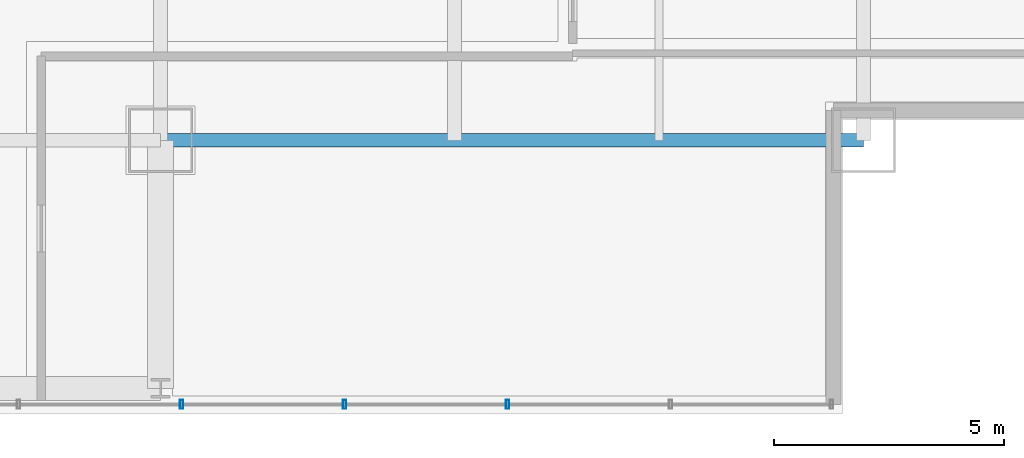
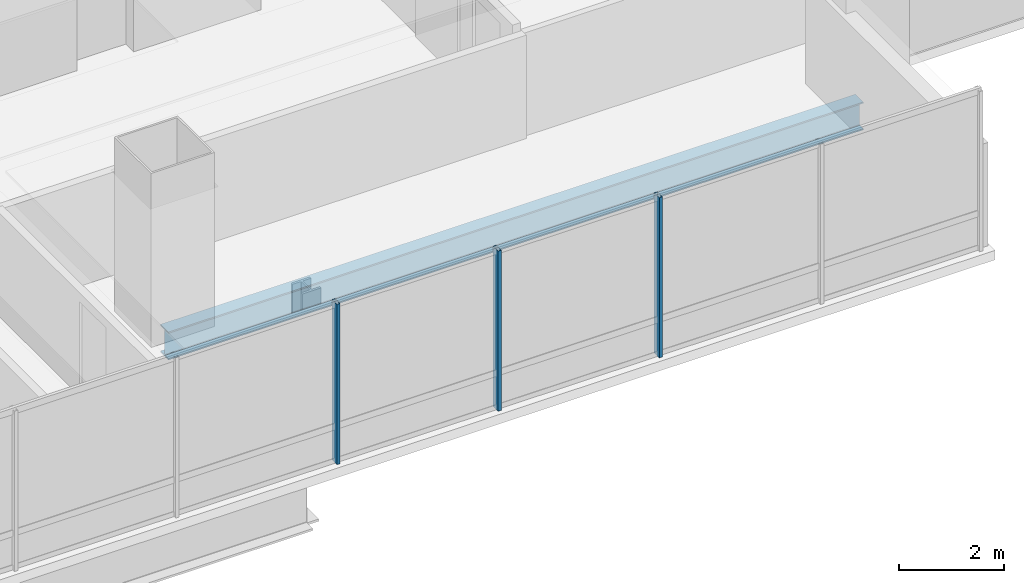
# One storey, part 7 of 35: 3 members, 1 beam, 1 element without a shape of its own.
"""IFC4 building model written with IfcOpenShell, lengths in metres."""

from ifc_helpers import new_model, si_unit, direction, frame, origin, origin_2d, place, context, subcontext, project, spatial, hollow_rectangle, i_section, extrude, material, material_profile, profile_set, type_object, element, aggregate, save


model = new_model("IFC4")

# Units and contexts
model_context = context("Model", 3, precision=1e-05, world=origin(), true_north=direction((0.0, 1.0)))
body_context = subcontext(model_context, "Body", "Model", "MODEL_VIEW")
ifc_project = project(units=[si_unit("LENGTHUNIT", "METRE"), si_unit("AREAUNIT", "SQUARE_METRE"), si_unit("VOLUMEUNIT", "CUBIC_METRE"), si_unit("PLANEANGLEUNIT", "RADIAN"), si_unit("MASSUNIT", "GRAM", prefix="KILO")], contexts=[model_context])

# Site, building, storey
site_placement = place(None, origin())
site = spatial("IfcSite", under=ifc_project, at=site_placement, CompositionType="ELEMENT")
building_placement = place(site_placement, origin())
building = spatial("IfcBuilding", under=site, at=building_placement, Name="Punatoya Terracotta Tower", CompositionType="ELEMENT")
storey_placement = place(building_placement, frame((0.0, 0.0, 232.949951171875)))
storey = spatial("IfcBuildingStorey", under=building, at=storey_placement, Name="L55", CompositionType="ELEMENT", Elevation=232.949951171875)

# Beam
ifc_material_1 = material(Name="Steel S355", Category="steel")
ifc_material_profile_1 = material_profile(ifc_material_1, i_section(OverallWidth=0.300048828125, OverallDepth=0.64990234375, WebThickness=0.01611328125, FlangeThickness=0.031005859375, FilletRadius=0.01806640625, at=origin_2d()))
ifc_profile_set_1 = profile_set([ifc_material_profile_1], Name="Steel S355")
beam_type = type_object("IfcBeamType", Name="BM-PRI-650", PredefinedType="BEAM", material=ifc_profile_set_1)
beam_placement = place(storey_placement, frame((3.800048828125, -17.5, -0.544921875), z_axis=(1.0, 0.0, 0.0), x_axis=(0.0, 1.0, 0.0)))
element("IfcBeam", 1, at=beam_placement, inside=storey, type_object=beam_type, Name="BM-L55-RG-S3", PredefinedType="BEAM", context=body_context, shape_type="SweptSolid", body=[
    extrude(i_section(OverallWidth=0.300048828125, OverallDepth=0.64990234375, WebThickness=0.01611328125, FlangeThickness=0.031005859375, FilletRadius=0.01806640625, at=origin_2d()), origin(), (0.0, 0.0, 1.0), 15.300048828125),
])

# Curtain wall, members
ifc_material_2 = material(Name="Aluminium 6063-T6 + Double Low-E Glass", Category="aluminium")
curtain_wall_type = type_object("IfcCurtainWallType", Name="CW-M2", PredefinedType="NOTDEFINED", material=ifc_material_2)
curtain_wall_placement = place(storey_placement, origin())
curtain_wall = element("IfcCurtainWall", 2, at=curtain_wall_placement, inside=storey, type_object=curtain_wall_type, Name="L55 Curtain Wall CW-L55-S01-1", PredefinedType="NOTDEFINED")
ifc_material_3 = material(Name="Aluminium 6063-T6", Category="aluminium")
ifc_material_profile_2 = material_profile(ifc_material_3, hollow_rectangle(XDim=0.072021484375, YDim=0.195068359375, WallThickness=0.00439453125, at=origin_2d()))
ifc_profile_set_2 = profile_set([ifc_material_profile_2], Name="Aluminium 6063-T6")
member_type = type_object("IfcMemberType", Name="CW-MUL-M2", PredefinedType="MULLION", material=ifc_profile_set_2)
member_1_placement = place(storey_placement, frame((4.255126953125, -23.25, 0.0), z_axis=(0.0, 0.0, 1.0), x_axis=(1.0, 0.0, 0.0)))
member_1 = element("IfcMember", 3, at=member_1_placement, type_object=member_type, Name="CW-L55-S01-1 Mullion 06", PredefinedType="MULLION", context=body_context, shape_type="SweptSolid", body=[
    extrude(hollow_rectangle(XDim=0.072021484375, YDim=0.195068359375, WallThickness=0.00439453125, at=origin_2d()), origin(), (0.0, 0.0, 1.0), 3.72998046875),
])
member_2_placement = place(storey_placement, frame((7.803955078125, -23.25, 0.0), z_axis=(0.0, 0.0, 1.0), x_axis=(1.0, 0.0, 0.0)))
member_2 = element("IfcMember", 4, at=member_2_placement, type_object=member_type, Name="CW-L55-S01-1 Mullion 07", PredefinedType="MULLION", context=body_context, shape_type="SweptSolid", body=[
    extrude(hollow_rectangle(XDim=0.072021484375, YDim=0.195068359375, WallThickness=0.00439453125, at=origin_2d()), origin(), (0.0, 0.0, 1.0), 3.72998046875),
])
member_3_placement = place(storey_placement, frame((11.3525390625, -23.25, 0.0), z_axis=(0.0, 0.0, 1.0), x_axis=(1.0, 0.0, 0.0)))
member_3 = element("IfcMember", 5, at=member_3_placement, type_object=member_type, Name="CW-L55-S01-1 Mullion 08", PredefinedType="MULLION", context=body_context, shape_type="SweptSolid", body=[
    extrude(hollow_rectangle(XDim=0.072021484375, YDim=0.195068359375, WallThickness=0.00439453125, at=origin_2d()), origin(), (0.0, 0.0, 1.0), 3.72998046875),
])
aggregate(curtain_wall, [member_1, member_2, member_3])

save(model, "model.ifc")
